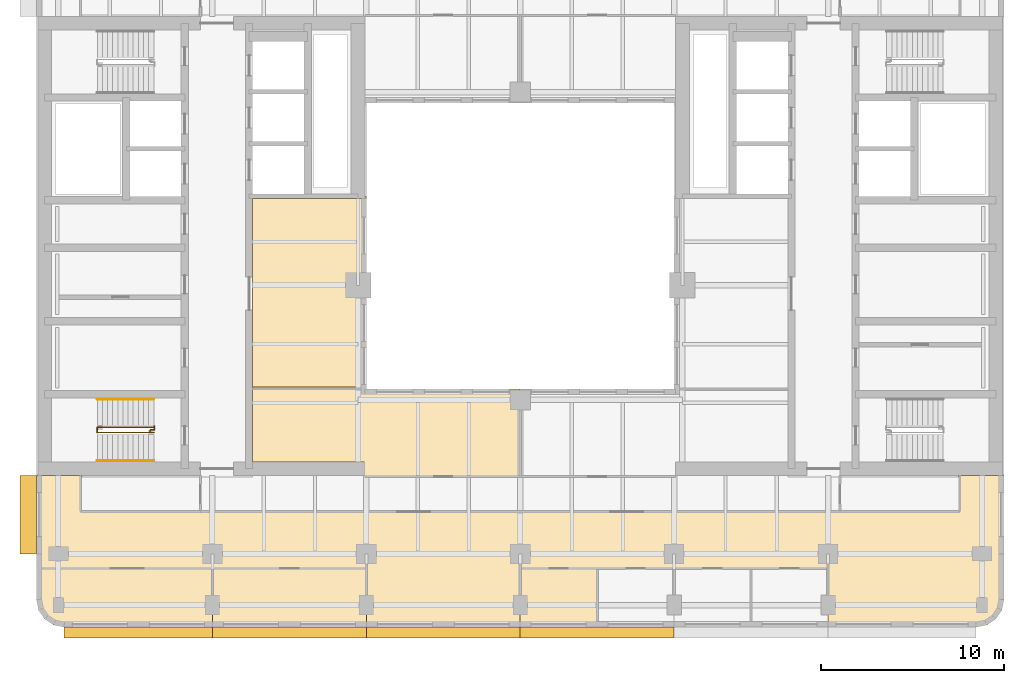
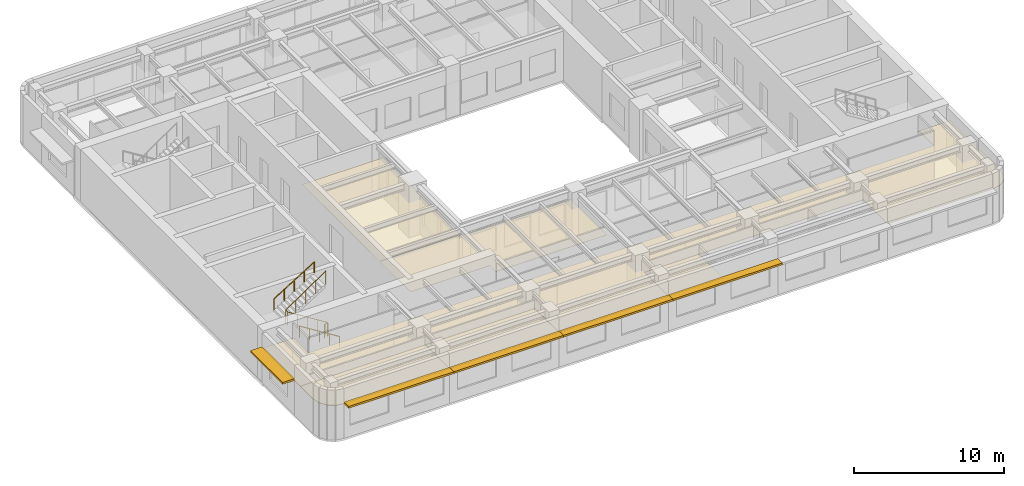
# One storey, part 9 of 11: 6 coverings, 5 shading devices, 4 railings.
"""IFC4 building model written with IfcOpenShell, lengths in metres."""

from ifc_helpers import new_model, si_unit, direction, frame, origin, origin_2d, place, context, subcontext, project, spatial, polyline, rectangle, circle, outline, extrude, material, layer, layer_set, type_object, element, save


model = new_model("IFC4")

# Units and contexts
model_context = context("Model", 3, precision=1e-05, world=origin(), true_north=direction((0.0, 1.0)))
body_context = subcontext(model_context, "Body", "Model", "MODEL_VIEW")
ifc_project = project(units=[si_unit("LENGTHUNIT", "METRE"), si_unit("AREAUNIT", "SQUARE_METRE"), si_unit("VOLUMEUNIT", "CUBIC_METRE"), si_unit("PLANEANGLEUNIT", "RADIAN"), si_unit("MASSUNIT", "GRAM", prefix="KILO")], contexts=[model_context])

# Site, building, storey
site_placement = place(None, origin())
site = spatial("IfcSite", under=ifc_project, at=site_placement, CompositionType="ELEMENT")
building_placement = place(site_placement, origin())
building = spatial("IfcBuilding", under=site, at=building_placement, Name="Claustro Exchange Tower", CompositionType="ELEMENT")
storey_placement = place(building_placement, frame((0.0, 0.0, 232.199951171875)))
storey = spatial("IfcBuildingStorey", under=building, at=storey_placement, Name="L53", CompositionType="ELEMENT", Elevation=232.199951171875)

# Coverings
ifc_material_1 = material(Name="Perforated metal ceiling tiles", Category="steel")
ifc_layer_1 = layer(ifc_material_1, 0.030029296875)
ifc_layer_set_1 = layer_set([ifc_layer_1], Name="Perforated metal ceiling tiles")
covering_type_1 = type_object("IfcCoveringType", Name="CL1 suspended metal ceiling", PredefinedType="CEILING", material=ifc_layer_set_1)
covering_1_placement = place(storey_placement, frame((0.0, 0.0, 2.800048828125)))
element("IfcCovering", 1, at=covering_1_placement, inside=storey, type_object=covering_type_1, Name="Ceiling CL1 L53-07", PredefinedType="CEILING", context=body_context, shape_type="SweptSolid", body=[
    extrude(outline(polyline([(1.199951171875, 10.699951171875), (1.199951171875, 12.60009765625), (1.294921875, 12.60009765625), (1.294921875, 12.675048828125), (-1.125, 12.675048828125), (-1.125, 12.695068359375), (-1.199951171875, 12.695068359375), (-1.199951171875, 7.60009765625), (16.800048828125, 7.60009765625), (16.800048828125, 4.39990234375), (25.199951171875, 4.39990234375), (25.199951171875, 7.60009765625), (42.0, 7.60009765625), (42.0, 4.39990234375), (50.10009765625, 4.39990234375), (50.674072265625, 4.51416015625), (51.16064453125, 4.83935546875), (51.48583984375, 5.325927734375), (51.60009765625, 5.89990234375), (51.60009765625, 12.695068359375), (51.52490234375, 12.695068359375), (51.52490234375, 12.675048828125), (49.10498046875, 12.675048828125), (49.10498046875, 12.60009765625), (49.199951171875, 12.60009765625), (49.199951171875, 10.699951171875), (1.199951171875, 10.699951171875)])), origin(), (0.0, 0.0, 1.0), 0.030029296875),
])
ifc_material_2 = material(Name="Gypsum board ceiling", Category="gypsum board")
ifc_layer_2 = layer(ifc_material_2, 0.02490234375)
ifc_layer_set_2 = layer_set([ifc_layer_2], Name="Gypsum board ceiling")
covering_type_2 = type_object("IfcCoveringType", Name="CL2 plasterboard ceiling", PredefinedType="CEILING", material=ifc_layer_set_2)
covering_2_placement = place(storey_placement, frame((0.0, 0.0, 2.800048828125)))
element("IfcCovering", 2, at=covering_2_placement, inside=storey, type_object=covering_type_2, Name="Ceiling CL2 L53-01", PredefinedType="CEILING", context=body_context, shape_type="SweptSolid", body=[
    extrude(outline(polyline([(-1.085693359375, 5.325927734375), (-0.7607421875, 4.83935546875), (-0.27392578125, 4.51416015625), (0.300048828125, 4.39990234375), (8.39990234375, 4.39990234375), (8.39990234375, 7.60009765625), (-1.199951171875, 7.60009765625), (-1.199951171875, 5.89990234375), (-1.085693359375, 5.325927734375)])), origin(), (0.0, 0.0, 1.0), 0.02490234375),
])
covering_3_placement = place(storey_placement, frame((0.0, 0.0, 2.800048828125)))
element("IfcCovering", 3, at=covering_3_placement, inside=storey, type_object=covering_type_2, Name="Ceiling CL2 L53-02", PredefinedType="CEILING", context=body_context, shape_type="SweptSolid", body=[
    extrude(outline(polyline([(8.39990234375, 4.39990234375), (16.800048828125, 4.39990234375), (16.800048828125, 7.60009765625), (8.39990234375, 7.60009765625), (8.39990234375, 4.39990234375)])), origin(), (0.0, 0.0, 1.0), 0.02490234375),
])
covering_4_placement = place(storey_placement, frame((0.0, 0.0, 2.800048828125)))
element("IfcCovering", 4, at=covering_4_placement, inside=storey, type_object=covering_type_2, Name="Ceiling CL2 L53-03", PredefinedType="CEILING", context=body_context, shape_type="SweptSolid", body=[
    extrude(outline(polyline([(25.199951171875, 4.39990234375), (29.39990234375, 4.39990234375), (29.39990234375, 7.60009765625), (25.199951171875, 7.60009765625), (25.199951171875, 4.39990234375)])), origin(), (0.0, 0.0, 1.0), 0.02490234375),
])
covering_5_placement = place(storey_placement, frame((0.0, 0.0, 2.800048828125)))
element("IfcCovering", 5, at=covering_5_placement, inside=storey, type_object=covering_type_2, Name="Ceiling CL2 L53-11", PredefinedType="CEILING", context=body_context, shape_type="SweptSolid", body=[
    extrude(outline(polyline([(25.199951171875, 17.39990234375), (16.800048828125, 17.39990234375), (16.800048828125, 17.4951171875), (10.60009765625, 17.4951171875), (10.60009765625, 13.405029296875), (16.705078125, 13.405029296875), (16.705078125, 12.60009765625), (25.199951171875, 12.60009765625), (25.199951171875, 17.39990234375)])), origin(), (0.0, 0.0, 1.0), 0.02490234375),
])
covering_6_placement = place(storey_placement, frame((0.0, 0.0, 2.800048828125)))
element("IfcCovering", 6, at=covering_6_placement, inside=storey, type_object=covering_type_2, Name="Ceiling CL2 L53-13", PredefinedType="CEILING", context=body_context, shape_type="SweptSolid", body=[
    extrude(outline(polyline([(10.60009765625, 27.800048828125), (10.60009765625, 17.304931640625), (16.800048828125, 17.304931640625), (16.800048828125, 27.89501953125), (16.72509765625, 27.89501953125), (16.72509765625, 27.800048828125), (10.60009765625, 27.800048828125)])), origin(), (0.0, 0.0, 1.0), 0.02490234375),
])

# Railings
ifc_material_3 = material(Name="Steel balustrade, painted", Category="steel")
railing_type_1 = type_object("IfcRailingType", Name="GR2 1100 steel stair guard", PredefinedType="GUARDRAIL", material=ifc_material_3)
railing_1_placement = place(storey_placement, frame((5.199951171875, 15.02490234375, 0.175048828125)))
element("IfcRailing", 7, at=railing_1_placement, inside=storey, type_object=railing_type_1, Name="Stair well guard GR2 stair STWA L53", PredefinedType="GUARDRAIL", context=body_context, shape_type="SweptSolid", body=[
    extrude(circle(Radius=0.02392578125, at=origin_2d()), frame((0.0, 0.0, 1.076171875), z_axis=(-0.847979421464, 0.0, 0.530029150871), x_axis=(0.0, -1.0, 0.0)), (0.0, 0.0, 1.0), 3.632080078125),
    extrude(circle(Radius=0.02392578125, at=origin_2d()), frame((-3.079833984375, 0.0, 3.0009765625), z_axis=(0.0, 1.0, 0.0), x_axis=(-1.0, 0.0, 0.0)), (0.0, 0.0, 1.0), 0.275146484375),
    extrude(circle(Radius=0.02392578125, at=origin_2d()), frame((-3.079833984375, 0.275146484375, 3.0009765625), z_axis=(0.826231499792, 0.0, 0.563330727682), x_axis=(0.0, 1.0, 0.0)), (0.0, 0.0, 1.0), 3.7275390625),
    extrude(circle(Radius=0.02099609375, at=origin_2d()), origin(), (0.0, 0.0, 1.0), 1.052001953125),
    extrude(circle(Radius=0.02099609375, at=origin_2d()), frame((-0.77001953125, 0.0, 0.481201171875)), (0.0, 0.0, 1.0), 1.052001953125),
    extrude(circle(Radius=0.02099609375, at=origin_2d()), frame((-1.5400390625, 0.0, 0.96240234375)), (0.0, 0.0, 1.0), 1.052001953125),
    extrude(circle(Radius=0.02099609375, at=origin_2d()), frame((-2.309814453125, 0.0, 1.44384765625)), (0.0, 0.0, 1.0), 1.052001953125),
    extrude(circle(Radius=0.02099609375, at=origin_2d()), frame((-3.079833984375, 0.0, 1.925048828125)), (0.0, 0.0, 1.0), 1.052001953125),
    extrude(circle(Radius=0.02099609375, at=origin_2d()), frame((-3.079833984375, 0.275146484375, 1.925048828125)), (0.0, 0.0, 1.0), 1.052001953125),
    extrude(circle(Radius=0.02099609375, at=origin_2d()), frame((-2.309814453125, 0.275146484375, 2.449951171875)), (0.0, 0.0, 1.0), 1.052001953125),
    extrude(circle(Radius=0.02099609375, at=origin_2d()), frame((-1.5400390625, 0.275146484375, 2.97509765625)), (0.0, 0.0, 1.0), 1.052001953125),
    extrude(circle(Radius=0.02099609375, at=origin_2d()), frame((-0.77001953125, 0.275146484375, 3.5)), (0.0, 0.0, 1.0), 1.052001953125),
    extrude(circle(Radius=0.02099609375, at=origin_2d()), frame((0.0, 0.275146484375, 4.02490234375)), (0.0, 0.0, 1.0), 1.052001953125),
])
railing_2_placement = place(storey_placement, frame((5.0, 15.094970703125, 0.0)))
element("IfcRailing", 8, at=railing_2_placement, inside=storey, type_object=railing_type_1, Name="Stair guard GR2 STWA L53", PredefinedType="GUARDRAIL", context=body_context, shape_type="SweptSolid", body=[
    extrude(circle(Radius=0.02392578125, at=origin_2d()), frame((0.0, 0.0, 1.076171875), z_axis=(0.0, 1.0, 0.0), x_axis=(-1.0, 0.0, 0.0)), (0.0, 0.0, 1.0), 0.067626953125),
    extrude(circle(Radius=0.02392578125, at=origin_2d()), frame((0.0, 0.067626953125, 1.076171875), z_axis=(1.0, 0.0, 0.0), x_axis=(0.0, 1.0, 0.0)), (0.0, 0.0, 1.0), 0.22509765625),
    extrude(circle(Radius=0.02392578125, at=origin_2d()), frame((0.22509765625, 0.067626953125, 1.076171875), z_axis=(0.0, 1.0, 0.0), x_axis=(-1.0, 0.0, 0.0)), (0.0, 0.0, 1.0), 0.21728515625),
    extrude(circle(Radius=0.02099609375, at=origin_2d()), origin(), (0.0, 0.0, 1.0), 1.052001953125),
    extrude(circle(Radius=0.02099609375, at=origin_2d()), frame((0.0, 0.067626953125, 0.0)), (0.0, 0.0, 1.0), 1.052001953125),
    extrude(circle(Radius=0.02099609375, at=origin_2d()), frame((0.22509765625, 0.067626953125, 0.0)), (0.0, 0.0, 1.0), 1.052001953125),
    extrude(circle(Radius=0.02099609375, at=origin_2d()), frame((0.22509765625, 0.284912109375, 0.0)), (0.0, 0.0, 1.0), 1.052001953125),
])
ifc_material_4 = material(Name="Stainless steel tube", Category="steel")
railing_type_2 = type_object("IfcRailingType", Name="HR1 900 stair handrail", PredefinedType="HANDRAIL", material=ifc_material_4)
railing_3_placement = place(storey_placement, frame((5.199951171875, 13.485107421875, 0.175048828125)))
element("IfcRailing", 9, at=railing_3_placement, inside=storey, type_object=railing_type_2, Name="Handrail HR1 stair STWA L53", PredefinedType="HANDRAIL", context=body_context, shape_type="SweptSolid", body=[
    extrude(circle(Radius=0.02392578125, at=origin_2d()), frame((0.0, 0.0, 0.8759765625), z_axis=(-0.847979421464, 0.0, 0.530029150871), x_axis=(0.0, -1.0, 0.0)), (0.0, 0.0, 1.0), 3.632080078125),
    extrude(circle(Radius=0.02099609375, at=origin_2d()), origin(), (0.0, 0.0, 1.0), 0.851806640625),
    extrude(circle(Radius=0.02099609375, at=origin_2d()), frame((-0.77001953125, 0.0, 0.481201171875)), (0.0, 0.0, 1.0), 0.851806640625),
    extrude(circle(Radius=0.02099609375, at=origin_2d()), frame((-1.5400390625, 0.0, 0.96240234375)), (0.0, 0.0, 1.0), 0.851806640625),
    extrude(circle(Radius=0.02099609375, at=origin_2d()), frame((-2.309814453125, 0.0, 1.44384765625)), (0.0, 0.0, 1.0), 0.851806640625),
    extrude(circle(Radius=0.02099609375, at=origin_2d()), frame((-3.079833984375, 0.0, 1.925048828125)), (0.0, 0.0, 1.0), 0.851806640625),
])
railing_4_placement = place(storey_placement, frame((2.1201171875, 16.840087890625, 2.275146484375)))
element("IfcRailing", 10, at=railing_4_placement, inside=storey, type_object=railing_type_2, Name="Handrail HR1 stair STWA L53", PredefinedType="HANDRAIL", context=body_context, shape_type="SweptSolid", body=[
    extrude(circle(Radius=0.02392578125, at=origin_2d()), frame((0.0, 0.0, 0.8759765625), z_axis=(0.848009633417, 0.0, 0.529980812513), x_axis=(0.0, 1.0, 0.0)), (0.0, 0.0, 1.0), 3.6318359375),
    extrude(circle(Radius=0.02099609375, at=origin_2d()), origin(), (0.0, 0.0, 1.0), 0.851806640625),
    extrude(circle(Radius=0.02099609375, at=origin_2d()), frame((0.77001953125, 0.0, 0.481201171875)), (0.0, 0.0, 1.0), 0.851806640625),
    extrude(circle(Radius=0.02099609375, at=origin_2d()), frame((1.5400390625, 0.0, 0.96240234375)), (0.0, 0.0, 1.0), 0.851806640625),
    extrude(circle(Radius=0.02099609375, at=origin_2d()), frame((2.309814453125, 0.0, 1.443603515625)), (0.0, 0.0, 1.0), 0.851806640625),
    extrude(circle(Radius=0.02099609375, at=origin_2d()), frame((3.079833984375, 0.0, 1.9248046875)), (0.0, 0.0, 1.0), 0.851806640625),
])

# Shading devices
ifc_material_5 = material(Name="Concrete HA-40 (C40/50), precast, white cement, acid-etched", Category="concrete")
ifc_layer_3 = layer(ifc_material_5, 0.14990234375)
ifc_layer_set_3 = layer_set([ifc_layer_3], Name="Concrete HA-40 (C40/50), precast, white cement, acid-etched")
shading_device_type_1 = type_object("IfcShadingDeviceType", Name="SS1 600 precast concrete SUNSHADE", PredefinedType="SHUTTER", material=ifc_layer_set_3)
for number, where, z_axis, x_axis, name in (
    (11, (29.39990234375, 4.10009765625, 2.800048828125), (0.0, 0.0, 1.0), (-1.0, 0.0, 0.0), "Precast SUNSHADE SS1 L53"),
    (12, (21.0, 4.10009765625, 2.800048828125), (0.0, 0.0, 1.0), (-1.0, 0.0, 0.0), "Precast SUNSHADE SS1 L53"),
    (13, (12.60009765625, 4.10009765625, 2.800048828125), (0.0, 0.0, 1.0), (-1.0, 0.0, 0.0), "Precast SUNSHADE SS1 L53"),
):
    element("IfcShadingDevice", number, at=place(storey_placement, frame(where, z_axis=z_axis, x_axis=x_axis)), inside=storey, type_object=shading_device_type_1, Name=name, PredefinedType="SHUTTER", context=body_context, shape_type="SweptSolid", body=[
        extrude(rectangle(XDim=8.39990234375, YDim=0.60009765625, at=origin_2d()), origin(), (0.0, 0.0, 1.0), 0.14990234375),
    ])
shading_device_1_placement = place(storey_placement, frame((4.357421875, 4.10009765625, 2.800048828125), z_axis=(0.0, 0.0, 1.0), x_axis=(-1.0, 0.0, 0.0)))
element("IfcShadingDevice", 14, at=shading_device_1_placement, inside=storey, type_object=shading_device_type_1, Name="Precast SUNSHADE SS1 L53", PredefinedType="SHUTTER", context=body_context, shape_type="SweptSolid", body=[
    extrude(rectangle(XDim=8.085205078125, YDim=0.60009765625, at=origin_2d()), origin(), (0.0, 0.0, 1.0), 0.14990234375),
])
ifc_material_6 = material(Name="Concrete HA-40 (C40/50), precast, white cement, acid-etched", Category="concrete")
ifc_layer_4 = layer(ifc_material_6, 0.14990234375)
ifc_layer_set_4 = layer_set([ifc_layer_4], Name="Concrete HA-40 (C40/50), precast, white cement, acid-etched")
shading_device_type_2 = type_object("IfcShadingDeviceType", Name="SS2 900 precast concrete SUNSHADE", PredefinedType="SHUTTER", material=ifc_layer_set_4)
shading_device_2_placement = place(storey_placement, frame((-1.64990234375, 10.53759765625, 2.800048828125), z_axis=(0.0, 0.0, 1.0), x_axis=(0.0, 1.0, 0.0)))
element("IfcShadingDevice", 15, at=shading_device_2_placement, inside=storey, type_object=shading_device_type_2, Name="Precast SUNSHADE SS2 L53", PredefinedType="SHUTTER", context=body_context, shape_type="SweptSolid", body=[
    extrude(rectangle(XDim=4.27490234375, YDim=0.89990234375, at=origin_2d()), origin(), (0.0, 0.0, 1.0), 0.14990234375),
])

save(model, "model.ifc")
